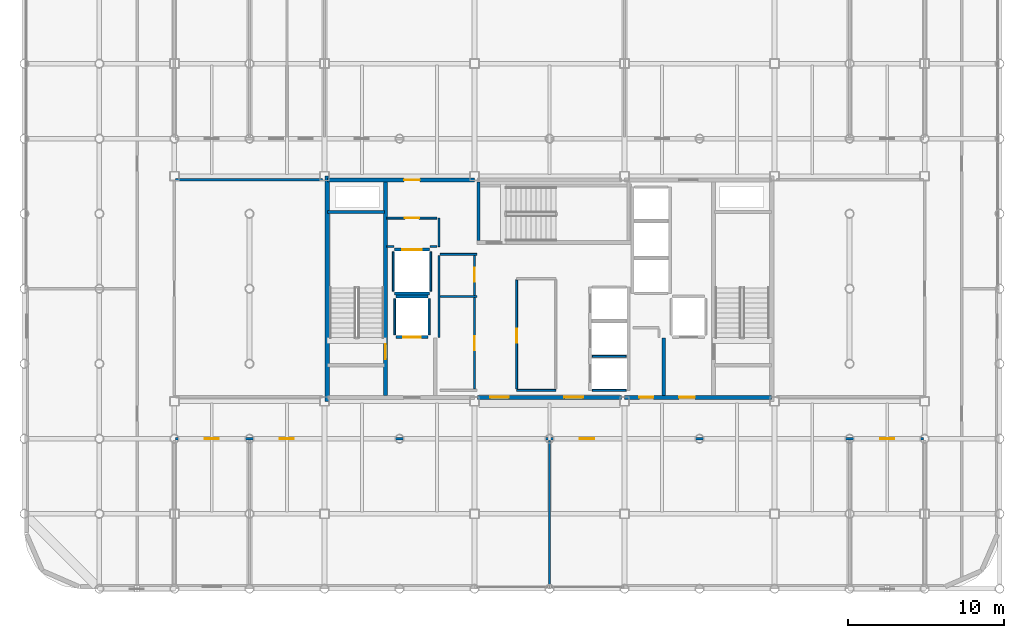
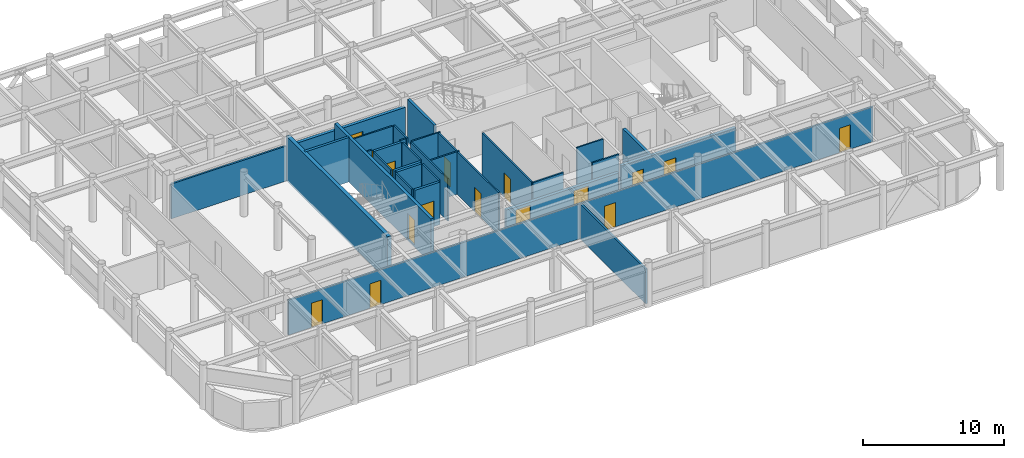
# One storey, part 18 of 21: 31 walls, 16 doors, 16 openings.
"""IFC4 building model written with IfcOpenShell, lengths in metres."""

import ifcopenshell
import ifcopenshell.guid

model = None  # the IFC model being written
_history = None  # IfcOwnerHistory: only IFC2X3 demands one
_inside = {}  # id of a spatial element -> (the spatial element, [elements in it])
_under = {}  # id of a project, library or spatial element -> (it, [spatial elements below it])
_declared = {}  # id of a project -> (the project, [libraries it declares])
_typed = {}  # id of a type object -> (the type object, [elements of that type])
_made_of = {}  # id of a material, layer set ... -> (it, [elements and type objects made of it])


def new_model(schema):
    """Start an empty IFC model of exactly this schema.

    Asked for "IFC4X3", IfcOpenShell would pick the latest addendum, in which some entities
    have other attributes; the version numbers below select the first issue.
    IFC2X3 requires an IfcOwnerHistory on every rooted entity: one is made here for all.
    """
    global model, _history
    if schema == "IFC4X3":
        model = ifcopenshell.file(schema_version=(4, 3, 0, 0))
    else:
        model = ifcopenshell.file(schema=schema)
    _inside.clear()
    _under.clear()
    _declared.clear()
    _typed.clear()
    _made_of.clear()
    _history = None
    if model.schema == "IFC2X3":
        org = make("IfcOrganization", Name="unknown")
        user = make(
            "IfcPersonAndOrganization",
            ThePerson=make("IfcPerson", FamilyName="unknown"),
            TheOrganization=org,
        )
        app = make(
            "IfcApplication",
            ApplicationDeveloper=org,
            Version="unknown",
            ApplicationFullName="unknown",
            ApplicationIdentifier="unknown",
        )
        _history = make(
            "IfcOwnerHistory",
            OwningUser=user,
            OwningApplication=app,
            ChangeAction="ADDED",
            CreationDate=0,
        )
    return model


def make(cls, **values):
    """One entity of the class cls with the attributes given. An attribute that is None is left unset."""
    return model.create_entity(
        cls, **{name: value for name, value in values.items() if value is not None}
    )


def rooted(cls, **values):
    """An entity with a GlobalId (a new one), such as an element, a storey or a relation."""
    return make(cls, GlobalId=ifcopenshell.guid.new(), OwnerHistory=_history, **values)


def si_unit(unit_type, name, prefix=None):
    """IfcSIUnit, for example si_unit("LENGTHUNIT", "METRE", prefix="MILLI")."""
    return make("IfcSIUnit", UnitType=unit_type, Prefix=prefix, Name=name)


def assignment(units):
    """IfcUnitAssignment: the units of a project."""
    return None if units is None else make("IfcUnitAssignment", Units=units)


def point(xyz):
    """IfcCartesianPoint."""
    return None if xyz is None else make("IfcCartesianPoint", Coordinates=xyz)


def direction(xyz):
    """IfcDirection."""
    return None if xyz is None else make("IfcDirection", DirectionRatios=xyz)


def frame(location, z_axis=None, x_axis=None):
    """IfcAxis2Placement3D, a coordinate frame: its origin and axes. An axis left out is left unset."""
    return make(
        "IfcAxis2Placement3D",
        Location=point(location),
        Axis=direction(z_axis),
        RefDirection=direction(x_axis),
    )


def frame_2d(location, x_axis=None):
    """IfcAxis2Placement2D, a coordinate frame in the plane: its origin and x axis."""
    return make(
        "IfcAxis2Placement2D", Location=point(location), RefDirection=direction(x_axis)
    )


def origin():
    """The frame at (0, 0, 0) with its axes left unset."""
    return frame((0.0, 0.0, 0.0))


def place(relative_to, where):
    """IfcLocalPlacement: puts the frame where relative to a parent placement (None: the world)."""
    return make(
        "IfcLocalPlacement", PlacementRelTo=relative_to, RelativePlacement=where
    )


def context(
    kind, dimensions, precision=None, world=None, true_north=None, identifier=None
):
    """IfcGeometricRepresentationContext, for example the 3D "Model" context."""
    return make(
        "IfcGeometricRepresentationContext",
        ContextIdentifier=identifier,
        ContextType=kind,
        CoordinateSpaceDimension=dimensions,
        Precision=precision,
        WorldCoordinateSystem=world,
        TrueNorth=true_north,
    )


def subcontext(parent, identifier, kind, view, scale=None):
    """IfcGeometricRepresentationSubContext, for example "Body" below "Model"."""
    return make(
        "IfcGeometricRepresentationSubContext",
        ContextIdentifier=identifier,
        ContextType=kind,
        ParentContext=parent,
        TargetScale=scale,
        TargetView=view,
    )


def project(units=None, contexts=None):
    """IfcProject with its units and contexts."""
    return rooted(
        "IfcProject",
        Name="project",
        RepresentationContexts=contexts,
        UnitsInContext=assignment(units),
    )


def spatial(cls, under=None, at=None, **own):
    """A site, building, storey or space (cls), placed at a placement, below another one or the project."""
    s = rooted(cls, ObjectPlacement=at, **own)
    if under is not None:
        _under.setdefault(under.id(), (under, []))[1].append(s)
    return s


def profile(cls, at=None, kind="AREA", **sizes):
    """A parametric profile (cls). Its sizes go by their IFC names, for example OverallWidth=200.0."""
    return make(cls, ProfileType=kind, Position=at, **sizes)


def rectangle(**sizes):
    """IfcRectangleProfileDef."""
    return profile("IfcRectangleProfileDef", **sizes)


def extrude(swept, where, along, depth):
    """IfcExtrudedAreaSolid: the profile swept, set in the frame where, extruded along a direction by depth."""
    return make(
        "IfcExtrudedAreaSolid",
        SweptArea=swept,
        Position=where,
        ExtrudedDirection=direction(along),
        Depth=depth,
    )


def shape(context_of_items, identifier, shape_type, items):
    """IfcShapeRepresentation: the items that make up one representation, for example the "Body"."""
    return make(
        "IfcShapeRepresentation",
        ContextOfItems=context_of_items,
        RepresentationIdentifier=identifier,
        RepresentationType=shape_type,
        Items=items,
    )


def material(Name=None, Category=None):
    """IfcMaterial."""
    return make("IfcMaterial", Name=Name, Category=Category)


def layer(
    of_material, thickness, ventilated=None, Name=None, Category=None, Priority=None
):
    """IfcMaterialLayer: one layer of a wall or slab, of a material (None: an air gap)."""
    return make(
        "IfcMaterialLayer",
        Material=of_material,
        LayerThickness=thickness,
        IsVentilated=ventilated,
        Name=Name,
        Category=Category,
        Priority=Priority,
    )


def layer_set(layers, Name=None):
    """IfcMaterialLayerSet."""
    return make("IfcMaterialLayerSet", MaterialLayers=layers, LayerSetName=Name)


def made_of(thing, what):
    """Note that an element or type object is made of a material, layer set ...; save() writes the relation."""
    if what is not None:
        _made_of.setdefault(what.id(), (what, []))[1].append(thing)
    return thing


def type_object(cls, material=None, **own):
    """A type object (cls), such as IfcWallType, which elements share."""
    return made_of(rooted(cls, **own), material)


def element(
    cls,
    number,
    at=None,
    inside=None,
    cuts=None,
    type_object=None,
    material=None,
    context=None,
    identifier="Body",
    shape_type=None,
    held_by="IfcProductDefinitionShape",
    body=None,
    shapes=None,
    **own,
):
    """One element of the class cls, such as IfcWall. Its Tag is "e" and its number.

    at: its placement. inside: the storey or other place that contains it. cuts: it is an
    opening in that element (IfcRelVoidsElement). A single representation is given by context,
    identifier, shape_type and body (its items); several are given by shapes. held_by: the class
    of the entity that holds the representations. save() writes the other relations.
    """
    e = rooted(cls, Tag="e%d" % number, ObjectPlacement=at, **own)
    if body is not None:
        shapes = [shape(context, identifier, shape_type, body)]
    if shapes is not None:
        e.Representation = make(held_by, Representations=shapes)
    if inside is not None:
        _inside.setdefault(inside.id(), (inside, []))[1].append(e)
    if cuts is not None:
        rooted(
            "IfcRelVoidsElement", RelatingBuildingElement=cuts, RelatedOpeningElement=e
        )
    if type_object is not None:
        _typed.setdefault(type_object.id(), (type_object, []))[1].append(e)
    return made_of(e, material)


def fill(opening, filler):
    """IfcRelFillsElement: the door or window that sits in an opening."""
    return rooted(
        "IfcRelFillsElement",
        RelatingOpeningElement=opening,
        RelatedBuildingElement=filler,
    )


def aggregate(whole, parts):
    """IfcRelAggregates: a whole, such as a stair, and the parts it consists of."""
    return rooted("IfcRelAggregates", RelatingObject=whole, RelatedObjects=parts)


def save(model, path):
    """Write the relations noted so far, then the file.

    IfcRelAggregates (storeys below a building ...), IfcRelContainedInSpatialStructure (elements
    in a storey), IfcRelDefinesByType, IfcRelAssociatesMaterial and IfcRelDeclares: one each for
    every whole, place, type object, material and project.
    """
    for whole, parts in _under.values():
        aggregate(whole, parts)
    for where, things in _inside.values():
        rooted(
            "IfcRelContainedInSpatialStructure",
            RelatedElements=things,
            RelatingStructure=where,
        )
    for kind, things in _typed.values():
        rooted("IfcRelDefinesByType", RelatedObjects=things, RelatingType=kind)
    for what, things in _made_of.values():
        rooted("IfcRelAssociatesMaterial", RelatedObjects=things, RelatingMaterial=what)
    for by, libraries in _declared.values():
        rooted("IfcRelDeclares", RelatingContext=by, RelatedDefinitions=libraries)
    model.write(path)


model = new_model("IFC4")

# Units and contexts
model_context = context("Model", 3, precision=1e-05, world=origin(), true_north=direction((0.0, 1.0)))
body_context = subcontext(model_context, "Body", "Model", "MODEL_VIEW")
ifc_project = project(units=[si_unit("LENGTHUNIT", "METRE"), si_unit("AREAUNIT", "SQUARE_METRE"), si_unit("VOLUMEUNIT", "CUBIC_METRE"), si_unit("PLANEANGLEUNIT", "RADIAN"), si_unit("MASSUNIT", "GRAM", prefix="KILO")], contexts=[model_context])

# Site, building, storey
site_placement = place(None, origin())
site = spatial("IfcSite", under=ifc_project, at=site_placement, CompositionType="ELEMENT")
building_placement = place(site_placement, origin())
building = spatial("IfcBuilding", under=site, at=building_placement, Name="Kallvorn Hotel Tower", CompositionType="ELEMENT")
storey_placement = place(building_placement, frame((0.0, 0.0, 268.5)))
storey = spatial("IfcBuildingStorey", under=building, at=storey_placement, Name="L67", CompositionType="ELEMENT", Elevation=268.5)

# Walls
ifc_material_1 = material(Name="Concrete C50/60", Category="concrete")
ifc_layer_1 = layer(ifc_material_1, 0.300048828125)
ifc_layer_set_1 = layer_set([ifc_layer_1], Name="WL_CORE_300")
wall_type_1 = type_object("IfcWallType", Name="WL_CORE_300", PredefinedType="SHEAR", material=ifc_layer_set_1)
wall_1_placement = place(storey_placement, frame((-14.215087890625, -7.199951171875, -0.179931640625), z_axis=(0.0, 0.0, 1.0), x_axis=(0.0, 1.0, 0.0)))
element("IfcWall", 1, at=wall_1_placement, inside=storey, type_object=wall_type_1, Name="L67 Core West Shear Wall", PredefinedType="SHEAR", context=body_context, shape_type="SweptSolid", body=[
    extrude(rectangle(XDim=14.39990234375, YDim=0.300048828125, at=frame_2d((7.199951171875, 0.0))), origin(), (0.0, 0.0, 1.0), 3.849853515625),
])
ifc_material_2 = material(Name="Concrete C40/50", Category="concrete")
ifc_layer_2 = layer(ifc_material_2, 0.219970703125)
ifc_layer_set_2 = layer_set([ifc_layer_2], Name="WL_FFL_220")
wall_type_2 = type_object("IfcWallType", Name="WL_FFL_220", PredefinedType="SOLIDWALL", material=ifc_layer_set_2)
wall_2_placement = place(storey_placement, frame((7.300048828125, -6.820068359375, 0.0), z_axis=(0.0, 0.0, 1.0), x_axis=(0.0, 1.0, 0.0)))
element("IfcWall", 2, at=wall_2_placement, inside=storey, type_object=wall_type_2, Name="L67 Firefighting Lobby East Divider Wall", PredefinedType="SOLIDWALL", context=body_context, shape_type="SweptSolid", body=[
    extrude(rectangle(XDim=3.670166015625, YDim=0.219970703125, at=frame_2d((1.8349609375, 0.0))), origin(), (0.0, 0.0, 1.0), 3.02001953125),
])
ifc_material_3 = material(Name="Concrete C40/50", Category="concrete")
ifc_layer_3 = layer(ifc_material_3, 0.199951171875)
ifc_layer_set_3 = layer_set([ifc_layer_3], Name="WL_HOIST_200")
wall_type_3 = type_object("IfcWallType", Name="WL_HOIST_200", PredefinedType="SOLIDWALL", material=ifc_layer_set_3)
wall_3_placement = place(storey_placement, frame((-14.199951171875, 4.89990234375, -0.179931640625), z_axis=(0.0, 0.0, 1.0), x_axis=(1.0, 0.0, 0.0)))
element("IfcWall", 3, at=wall_3_placement, inside=storey, type_object=wall_type_3, Name="L67 Stair ST1 North Wall", PredefinedType="SOLIDWALL", context=body_context, shape_type="SweptSolid", body=[
    extrude(rectangle(XDim=3.64990234375, YDim=0.199951171875, at=frame_2d((1.824951171875, 0.0))), origin(), (0.0, 0.0, 1.0), 3.849853515625),
])
wall_4_placement = place(storey_placement, frame((-4.550048828125, 3.080078125, -0.179931640625), z_axis=(0.0, 0.0, 1.0), x_axis=(0.0, 1.0, 0.0)))
element("IfcWall", 4, at=wall_4_placement, inside=storey, type_object=wall_type_3, Name="L67 Stair ST3 West Wall", PredefinedType="SOLIDWALL", context=body_context, shape_type="SweptSolid", body=[
    extrude(rectangle(XDim=3.739990234375, YDim=0.199951171875, at=frame_2d((1.8701171875, 0.0))), origin(), (0.0, 0.0, 1.0), 3.849853515625),
])

# Wall, opening, door
wall_5_placement = place(storey_placement, frame((-9.820068359375, -3.10009765625, 0.0), z_axis=(0.0, 0.0, 1.0), x_axis=(1.0, 0.0, 0.0)))
wall_5 = element("IfcWall", 5, at=wall_5_placement, inside=storey, type_object=wall_type_3, Name="L67 FL-1 Landing Wall", PredefinedType="SOLIDWALL", context=body_context, shape_type="SweptSolid", body=[
    extrude(rectangle(XDim=2.0400390625, YDim=0.199951171875, at=frame_2d((1.02001953125, 0.0))), origin(), (0.0, 0.0, 1.0), 3.669921875),
])
opening_1_placement = place(wall_5_placement, frame((0.469970703125, 0.0, 0.0)))
opening_1 = element("IfcOpeningElement", 6, at=opening_1_placement, cuts=wall_5, Name="Opening LD-FL-1", PredefinedType="OPENING", context=body_context, shape_type="SweptSolid", body=[
    extrude(rectangle(XDim=1.10009765625, YDim=2.199951171875, at=frame_2d((0.550048828125, 1.10009765625))), frame((0.0, 0.114990234375, 0.0), z_axis=(0.0, -1.0, 0.0), x_axis=(1.0, 0.0, 0.0)), (0.0, 0.0, 1.0), 0.22998046875),
])
ifc_material_4 = material(Name="Brushed stainless-steel automatic sliding lift landing door", Category="steel")
door_type_1 = type_object("IfcDoorType", Name="LD_PASS_1100x2200", OperationType="SLIDING_TO_LEFT", PredefinedType="DOOR", material=ifc_material_4)
door_1_placement = place(opening_1_placement, origin())
door_1 = element("IfcDoor", 7, at=door_1_placement, inside=storey, type_object=door_type_1, Name="L67 Lift Landing Sliding Door LD-FL-1", OperationType="SLIDING_TO_LEFT", OverallHeight=2.199951171875, OverallWidth=1.10009765625, PredefinedType="DOOR", context=body_context, shape_type="SweptSolid", body=[
    extrude(rectangle(XDim=1.10009765625, YDim=2.199951171875, at=frame_2d((0.550048828125, 1.10009765625))), frame((0.0, 0.02490234375, 0.0), z_axis=(0.0, -1.0, 0.0), x_axis=(1.0, 0.0, 0.0)), (0.0, 0.0, 1.0), 0.050048828125),
])
fill(opening_1, door_1)

# Wall
wall_6_placement = place(storey_placement, frame((-9.820068359375, -0.5, 0.0), z_axis=(0.0, 0.0, 1.0), x_axis=(1.0, 0.0, 0.0)))
element("IfcWall", 8, at=wall_6_placement, inside=storey, type_object=wall_type_3, Name="L67 FL-1 Rear Shaft Wall", PredefinedType="SOLIDWALL", context=body_context, shape_type="SweptSolid", body=[
    extrude(rectangle(XDim=2.0400390625, YDim=0.199951171875, at=frame_2d((1.02001953125, 0.0))), origin(), (0.0, 0.0, 1.0), 3.669921875),
])

# Wall, opening, door
wall_7_placement = place(storey_placement, frame((-9.919921875, 2.5, 0.0), z_axis=(0.0, 0.0, 1.0), x_axis=(1.0, 0.0, 0.0)))
wall_7 = element("IfcWall", 9, at=wall_7_placement, inside=storey, type_object=wall_type_3, Name="L67 SV-01 Landing Wall", PredefinedType="SOLIDWALL", context=body_context, shape_type="SweptSolid", body=[
    extrude(rectangle(XDim=2.239990234375, YDim=0.199951171875, at=frame_2d((1.1201171875, 0.0))), origin(), (0.0, 0.0, 1.0), 3.669921875),
])
opening_2_placement = place(wall_7_placement, frame((0.4951171875, 0.0, 0.0)))
opening_2 = element("IfcOpeningElement", 10, at=opening_2_placement, cuts=wall_7, Name="Opening LD-SV-01", PredefinedType="OPENING", context=body_context, shape_type="SweptSolid", body=[
    extrude(rectangle(XDim=1.25, YDim=2.25, at=frame_2d((0.625, 1.125))), frame((0.0, 0.114990234375, 0.0), z_axis=(0.0, -1.0, 0.0), x_axis=(1.0, 0.0, 0.0)), (0.0, 0.0, 1.0), 0.22998046875),
])
ifc_material_5 = material(Name="Brushed stainless-steel automatic sliding lift landing door", Category="steel")
door_type_2 = type_object("IfcDoorType", Name="LD_SERV_1250x2250", OperationType="SLIDING_TO_LEFT", PredefinedType="DOOR", material=ifc_material_5)
door_2_placement = place(opening_2_placement, origin())
door_2 = element("IfcDoor", 11, at=door_2_placement, inside=storey, type_object=door_type_2, Name="L67 Lift Landing Sliding Door LD-SV-01", OperationType="SLIDING_TO_LEFT", OverallHeight=2.25, OverallWidth=1.25, PredefinedType="DOOR", context=body_context, shape_type="SweptSolid", body=[
    extrude(rectangle(XDim=1.25, YDim=2.25, at=frame_2d((0.625, 1.125))), frame((0.0, 0.02490234375, 0.0), z_axis=(0.0, -1.0, 0.0), x_axis=(1.0, 0.0, 0.0)), (0.0, 0.0, 1.0), 0.050048828125),
])
fill(opening_2, door_2)

# Walls
wall_8_placement = place(storey_placement, frame((-9.919921875, -0.300048828125, 0.0), z_axis=(0.0, 0.0, 1.0), x_axis=(1.0, 0.0, 0.0)))
element("IfcWall", 12, at=wall_8_placement, inside=storey, type_object=wall_type_3, Name="L67 SV-01 Rear Shaft Wall", PredefinedType="SOLIDWALL", context=body_context, shape_type="SweptSolid", body=[
    extrude(rectangle(XDim=2.239990234375, YDim=0.199951171875, at=frame_2d((1.1201171875, 0.0))), origin(), (0.0, 0.0, 1.0), 3.669921875),
])
ifc_material_6 = material(Name="Fire-rated double-layer acoustic gypsum drywall EI 60")
ifc_layer_4 = layer(ifc_material_6, 0.1201171875)
ifc_layer_set_4 = layer_set([ifc_layer_4], Name="WL_INT_120")
wall_type_4 = type_object("IfcWallType", Name="WL_INT_120", PredefinedType="PARTITIONING", material=ifc_layer_set_4)
for number, where, z_axis, x_axis, name in (
    (13, (2.739990234375, -6.5, 0.0), (0.0, 0.0, 1.0), (1.0, 0.0, 0.0), "L67 Lift Bank B3A South Closure Wall"),
    (14, (2.739990234375, -4.324951171875, 0.0), (0.0, 0.0, 1.0), (1.0, 0.0, 0.0), "L67 PL-09 Hoistway Divider"),
):
    element("IfcWall", number, at=place(storey_placement, frame(where, z_axis=z_axis, x_axis=x_axis)), inside=storey, type_object=wall_type_4, Name=name, PredefinedType="PARTITIONING", context=body_context, shape_type="SweptSolid", body=[
        extrude(rectangle(XDim=2.169921875, YDim=0.1201171875, at=frame_2d((1.0849609375, 0.0))), origin(), (0.0, 0.0, 1.0), 3.669921875),
    ])
for number, where, z_axis, x_axis, name in (
    (15, (-9.89990234375, -2.9599609375, 0.0), (0.0, 0.0, 1.0), (0.0, 1.0, 0.0), "L67 FL-1 West Shaft Wall"),
    (16, (-7.699951171875, -2.9599609375, 0.0), (0.0, 0.0, 1.0), (0.0, 1.0, 0.0), "L67 FL-1 East Shaft Wall"),
):
    element("IfcWall", number, at=place(storey_placement, frame(where, z_axis=z_axis, x_axis=x_axis)), inside=storey, type_object=wall_type_4, Name=name, PredefinedType="PARTITIONING", context=body_context, shape_type="SweptSolid", body=[
        extrude(rectangle(XDim=2.320068359375, YDim=0.1201171875, at=frame_2d((1.16015625, 0.0))), origin(), (0.0, 0.0, 1.0), 3.669921875),
    ])
for number, where, z_axis, x_axis, name in (
    (17, (-10.0, -0.159912109375, 0.0), (0.0, 0.0, 1.0), (0.0, 1.0, 0.0), "L67 SV-01 West Shaft Wall"),
    (18, (-7.60009765625, -0.159912109375, 0.0), (0.0, 0.0, 1.0), (0.0, 1.0, 0.0), "L67 SV-01 East Shaft Wall"),
):
    element("IfcWall", number, at=place(storey_placement, frame(where, z_axis=z_axis, x_axis=x_axis)), inside=storey, type_object=wall_type_4, Name=name, PredefinedType="PARTITIONING", context=body_context, shape_type="SweptSolid", body=[
        extrude(rectangle(XDim=2.52001953125, YDim=0.1201171875, at=frame_2d((1.260009765625, 0.0))), origin(), (0.0, 0.0, 1.0), 3.669921875),
    ])
wall_9_placement = place(storey_placement, frame((-2.10009765625, -6.5, 0.0), z_axis=(0.0, 0.0, 1.0), x_axis=(1.0, 0.0, 0.0)))
element("IfcWall", 19, at=wall_9_placement, inside=storey, type_object=wall_type_4, Name="L67 High-Zone IT and Tableware Reserve Room Partition", PredefinedType="PARTITIONING", context=body_context, shape_type="SweptSolid", body=[
    extrude(rectangle(XDim=2.5, YDim=0.1201171875, at=frame_2d((1.25, 0.0))), origin(), (0.0, 0.0, 1.0), 3.669921875),
])
for number, where, z_axis, x_axis, name in (
    (20, (-7.0, -0.5, 0.0), (0.0, 0.0, 1.0), (1.0, 0.0, 0.0), "L67 Recaptured Full-Depth Sommelier Store Partition"),
    (21, (-7.0, 2.199951171875, 0.0), (0.0, 0.0, 1.0), (1.0, 0.0, 0.0), "L67 Recaptured Housekeeping Prep Room Partition"),
):
    element("IfcWall", number, at=place(storey_placement, frame(where, z_axis=z_axis, x_axis=x_axis)), inside=storey, type_object=wall_type_4, Name=name, PredefinedType="PARTITIONING", context=body_context, shape_type="SweptSolid", body=[
        extrude(rectangle(XDim=2.35009765625, YDim=0.1201171875, at=frame_2d((1.175048828125, 0.0))), origin(), (0.0, 0.0, 1.0), 3.669921875),
    ])
for number, where, z_axis, x_axis, name in (
    (22, (-10.39990234375, 2.699951171875, 0.0), (0.0, 0.0, 1.0), (1.0, 0.0, 0.0), "L67 Core Telecom and Metering Store Partition"),
    (23, (-7.639892578125, 2.699951171875, 0.0), (0.0, 0.0, 1.0), (1.0, 0.0, 0.0), "L67 Core Telecom and Metering Store Partition"),
):
    element("IfcWall", number, at=place(storey_placement, frame(where, z_axis=z_axis, x_axis=x_axis)), inside=storey, type_object=wall_type_4, Name=name, PredefinedType="PARTITIONING", context=body_context, shape_type="SweptSolid", body=[
        extrude(rectangle(XDim=0.43994140625, YDim=0.1201171875, at=frame_2d((0.219970703125, 0.0))), origin(), (0.0, 0.0, 1.0), 3.669921875),
    ])

# Wall, opening, door
wall_10_placement = place(storey_placement, frame((-10.39990234375, 4.52001953125, 0.0), z_axis=(0.0, 0.0, 1.0), x_axis=(1.0, 0.0, 0.0)))
wall_10 = element("IfcWall", 24, at=wall_10_placement, inside=storey, type_object=wall_type_4, Name="L67 Core Telecom and Metering Store Partition", PredefinedType="PARTITIONING", context=body_context, shape_type="SweptSolid", body=[
    extrude(rectangle(XDim=3.199951171875, YDim=0.1201171875, at=frame_2d((1.60009765625, 0.0))), origin(), (0.0, 0.0, 1.0), 3.669921875),
])
opening_3_placement = place(wall_10_placement, frame((1.14990234375, 0.0, 0.0)))
opening_3 = element("IfcOpeningElement", 25, at=opening_3_placement, cuts=wall_10, Name="Opening SVD1", PredefinedType="OPENING", context=body_context, shape_type="SweptSolid", body=[
    extrude(rectangle(XDim=0.89990234375, YDim=2.10009765625, at=frame_2d((0.449951171875, 1.050048828125))), frame((0.0, 0.074951171875, 0.0), z_axis=(0.0, -1.0, 0.0), x_axis=(1.0, 0.0, 0.0)), (0.0, 0.0, 1.0), 0.150146484375),
])
ifc_material_7 = material(Name="Galvanised painted steel fire-rated door assembly", Category="steel")
door_type_3 = type_object("IfcDoorType", Name="DR_SERV_900x2100", OperationType="NOTDEFINED", PredefinedType="DOOR", material=ifc_material_7)
door_3_placement = place(opening_3_placement, origin())
door_3 = element("IfcDoor", 26, at=door_3_placement, inside=storey, type_object=door_type_3, Name="L67 Core Telecom and Metering Store Door", OperationType="SINGLE_SWING_LEFT", OverallHeight=2.10009765625, OverallWidth=0.89990234375, PredefinedType="DOOR", context=body_context, shape_type="SweptSolid", body=[
    extrude(rectangle(XDim=0.89990234375, YDim=2.10009765625, at=frame_2d((0.449951171875, 1.050048828125))), frame((0.0, 0.02490234375, 0.0), z_axis=(0.0, -1.0, 0.0), x_axis=(1.0, 0.0, 0.0)), (0.0, 0.0, 1.0), 0.050048828125),
])
fill(opening_3, door_3)

# Walls
wall_11_placement = place(storey_placement, frame((-7.066650390625, -3.110107421875, 0.0), z_axis=(0.0, 0.0, 1.0), x_axis=(0.0, 1.0, 0.0)))
element("IfcWall", 27, at=wall_11_placement, inside=storey, type_object=wall_type_4, Name="L67 Recaptured Full-Depth Sommelier Store Partition", PredefinedType="PARTITIONING", context=body_context, shape_type="SweptSolid", body=[
    extrude(rectangle(XDim=5.22509765625, YDim=0.1201171875, at=frame_2d((2.612548828125, 0.0))), origin(), (0.0, 0.0, 1.0), 3.669921875),
])
wall_12_placement = place(storey_placement, frame((-7.066650390625, 2.699951171875, 0.0), z_axis=(0.0, 0.0, 1.0), x_axis=(0.0, 1.0, 0.0)))
element("IfcWall", 28, at=wall_12_placement, inside=storey, type_object=wall_type_4, Name="L67 Core Telecom and Metering Store Partition", PredefinedType="PARTITIONING", context=body_context, shape_type="SweptSolid", body=[
    extrude(rectangle(XDim=1.820068359375, YDim=0.1201171875, at=frame_2d((0.91015625, 0.0))), origin(), (0.0, 0.0, 1.0), 3.669921875),
])

# Wall, openings, doors
wall_13_placement = place(storey_placement, frame((-4.800048828125, -6.4150390625, 0.0), z_axis=(0.0, 0.0, 1.0), x_axis=(0.0, 1.0, 0.0)))
wall_13 = element("IfcWall", 29, at=wall_13_placement, inside=storey, type_object=wall_type_4, Name="L67 Recaptured Full-Depth Sommelier Store Partition", PredefinedType="PARTITIONING", context=body_context, shape_type="SweptSolid", body=[
    extrude(rectangle(XDim=8.530029296875, YDim=0.1201171875, at=frame_2d((4.26513671875, 0.0))), origin(), (0.0, 0.0, 1.0), 3.669921875),
])
opening_4_placement = place(wall_13_placement, frame((2.465087890625, 0.0, 0.0)))
opening_4 = element("IfcOpeningElement", 30, at=opening_4_placement, cuts=wall_13, Name="Opening SVD1", PredefinedType="OPENING", context=body_context, shape_type="SweptSolid", body=[
    extrude(rectangle(XDim=0.89990234375, YDim=2.10009765625, at=frame_2d((0.449951171875, 1.050048828125))), frame((0.0, 0.074951171875, 0.0), z_axis=(0.0, -1.0, 0.0), x_axis=(1.0, 0.0, 0.0)), (0.0, 0.0, 1.0), 0.150146484375),
])
opening_5_placement = place(wall_13_placement, frame((6.864990234375, 0.0, 0.0)))
opening_5 = element("IfcOpeningElement", 31, at=opening_5_placement, cuts=wall_13, Name="Opening SVD1", PredefinedType="OPENING", context=body_context, shape_type="SweptSolid", body=[
    extrude(rectangle(XDim=0.89990234375, YDim=2.10009765625, at=frame_2d((0.449951171875, 1.050048828125))), frame((0.0, 0.074951171875, 0.0), z_axis=(0.0, -1.0, 0.0), x_axis=(1.0, 0.0, 0.0)), (0.0, 0.0, 1.0), 0.150146484375),
])
door_4_placement = place(opening_4_placement, origin())
door_4 = element("IfcDoor", 32, at=door_4_placement, inside=storey, type_object=door_type_3, Name="L67 Recaptured Full-Depth Sommelier Store Door", OperationType="SINGLE_SWING_RIGHT", OverallHeight=2.10009765625, OverallWidth=0.89990234375, PredefinedType="DOOR", context=body_context, shape_type="SweptSolid", body=[
    extrude(rectangle(XDim=0.89990234375, YDim=2.10009765625, at=frame_2d((0.449951171875, 1.050048828125))), frame((0.0, 0.02490234375, 0.0), z_axis=(0.0, -1.0, 0.0), x_axis=(1.0, 0.0, 0.0)), (0.0, 0.0, 1.0), 0.050048828125),
])
fill(opening_4, door_4)
door_5_placement = place(opening_5_placement, origin())
door_5 = element("IfcDoor", 33, at=door_5_placement, inside=storey, type_object=door_type_3, Name="L67 Recaptured Housekeeping Prep Room Door", OperationType="SINGLE_SWING_LEFT", OverallHeight=2.10009765625, OverallWidth=0.89990234375, PredefinedType="DOOR", context=body_context, shape_type="SweptSolid", body=[
    extrude(rectangle(XDim=0.89990234375, YDim=2.10009765625, at=frame_2d((0.449951171875, 1.050048828125))), frame((0.0, 0.02490234375, 0.0), z_axis=(0.0, -1.0, 0.0), x_axis=(1.0, 0.0, 0.0)), (0.0, 0.0, 1.0), 0.050048828125),
])
fill(opening_5, door_5)

# Wall, opening, door
wall_14_placement = place(storey_placement, frame((-2.10009765625, -6.4150390625, 0.0), z_axis=(0.0, 0.0, 1.0), x_axis=(0.0, 1.0, 0.0)))
wall_14 = element("IfcWall", 34, at=wall_14_placement, inside=storey, type_object=wall_type_4, Name="L67 High-Zone IT and Tableware Reserve Room Partition", PredefinedType="PARTITIONING", context=body_context, shape_type="SweptSolid", body=[
    extrude(rectangle(XDim=6.97998046875, YDim=0.1201171875, at=frame_2d((3.489990234375, 0.0))), origin(), (0.0, 0.0, 1.0), 3.669921875),
])
opening_6_placement = place(wall_14_placement, frame((2.965087890625, 0.0, 0.0)))
opening_6 = element("IfcOpeningElement", 35, at=opening_6_placement, cuts=wall_14, Name="Opening SVD1", PredefinedType="OPENING", context=body_context, shape_type="SweptSolid", body=[
    extrude(rectangle(XDim=0.89990234375, YDim=2.10009765625, at=frame_2d((0.449951171875, 1.050048828125))), frame((0.0, 0.074951171875, 0.0), z_axis=(0.0, -1.0, 0.0), x_axis=(1.0, 0.0, 0.0)), (0.0, 0.0, 1.0), 0.150146484375),
])
door_6_placement = place(opening_6_placement, origin())
door_6 = element("IfcDoor", 36, at=door_6_placement, inside=storey, type_object=door_type_3, Name="L67 High-Zone IT and Tableware Reserve Room Door", OperationType="SINGLE_SWING_RIGHT", OverallHeight=2.10009765625, OverallWidth=0.89990234375, PredefinedType="DOOR", context=body_context, shape_type="SweptSolid", body=[
    extrude(rectangle(XDim=0.89990234375, YDim=2.10009765625, at=frame_2d((0.449951171875, 1.050048828125))), frame((0.0, 0.02490234375, 0.0), z_axis=(0.0, -1.0, 0.0), x_axis=(1.0, 0.0, 0.0)), (0.0, 0.0, 1.0), 0.050048828125),
])
fill(opening_6, door_6)

# Wall, openings, doors
ifc_material_8 = material(Name="Fire-rated double-layer acoustic gypsum drywall EI 60")
ifc_layer_5 = layer(ifc_material_8, 0.14990234375)
ifc_layer_set_5 = layer_set([ifc_layer_5], Name="WL_PART_150")
wall_type_5 = type_object("IfcWallType", Name="WL_PART_150", PredefinedType="PARTITIONING", material=ifc_layer_set_5)
wall_15_placement = place(storey_placement, frame((-23.919921875, -9.60009765625, 0.0), z_axis=(0.0, 0.0, 1.0), x_axis=(1.0, 0.0, 0.0)))
wall_15 = element("IfcWall", 37, at=wall_15_placement, inside=storey, type_object=wall_type_5, Name="L67 L67 High-Zone South-West Tea Bar Partition", PredefinedType="PARTITIONING", context=body_context, shape_type="SweptSolid", body=[
    extrude(rectangle(XDim=47.83984375, YDim=0.14990234375, at=frame_2d((23.919921875, 0.0))), origin(), (0.0, 0.0, 1.0), 3.02001953125),
])
opening_7_placement = place(wall_15_placement, frame((1.8701171875, 0.0, 0.0)))
opening_7 = element("IfcOpeningElement", 38, at=opening_7_placement, cuts=wall_15, Name="Opening SVD1", PredefinedType="OPENING", context=body_context, shape_type="SweptSolid", body=[
    extrude(rectangle(XDim=0.89990234375, YDim=2.10009765625, at=frame_2d((0.449951171875, 1.050048828125))), frame((0.0, 0.08984375, 0.0), z_axis=(0.0, -1.0, 0.0), x_axis=(1.0, 0.0, 0.0)), (0.0, 0.0, 1.0), 0.179931640625),
])
opening_8_placement = place(wall_15_placement, frame((45.070068359375, 0.0, 0.0)))
opening_8 = element("IfcOpeningElement", 39, at=opening_8_placement, cuts=wall_15, Name="Opening SVD1", PredefinedType="OPENING", context=body_context, shape_type="SweptSolid", body=[
    extrude(rectangle(XDim=0.89990234375, YDim=2.10009765625, at=frame_2d((0.449951171875, 1.050048828125))), frame((0.0, 0.08984375, 0.0), z_axis=(0.0, -1.0, 0.0), x_axis=(1.0, 0.0, 0.0)), (0.0, 0.0, 1.0), 0.179931640625),
])
opening_9_placement = place(wall_15_placement, frame((6.669921875, 0.0, 0.0)))
opening_9 = element("IfcOpeningElement", 40, at=opening_9_placement, cuts=wall_15, Name="Opening SVD1", PredefinedType="OPENING", context=body_context, shape_type="SweptSolid", body=[
    extrude(rectangle(XDim=0.89990234375, YDim=2.10009765625, at=frame_2d((0.449951171875, 1.050048828125))), frame((0.0, 0.08984375, 0.0), z_axis=(0.0, -1.0, 0.0), x_axis=(1.0, 0.0, 0.0)), (0.0, 0.0, 1.0), 0.179931640625),
])
opening_10_placement = place(wall_15_placement, frame((25.8701171875, 0.0, 0.0)))
opening_10 = element("IfcOpeningElement", 41, at=opening_10_placement, cuts=wall_15, Name="Opening SVD1", PredefinedType="OPENING", context=body_context, shape_type="SweptSolid", body=[
    extrude(rectangle(XDim=0.89990234375, YDim=2.10009765625, at=frame_2d((0.449951171875, 1.050048828125))), frame((0.0, 0.08984375, 0.0), z_axis=(0.0, -1.0, 0.0), x_axis=(1.0, 0.0, 0.0)), (0.0, 0.0, 1.0), 0.179931640625),
])
door_7_placement = place(opening_7_placement, origin())
door_7 = element("IfcDoor", 42, at=door_7_placement, inside=storey, type_object=door_type_3, Name="L67 L67 High-Zone South-West Tea Bar Door", OperationType="SINGLE_SWING_LEFT", OverallHeight=2.10009765625, OverallWidth=0.89990234375, PredefinedType="DOOR", context=body_context, shape_type="SweptSolid", body=[
    extrude(rectangle(XDim=0.89990234375, YDim=2.10009765625, at=frame_2d((0.449951171875, 1.050048828125))), frame((0.0, 0.02490234375, 0.0), z_axis=(0.0, -1.0, 0.0), x_axis=(1.0, 0.0, 0.0)), (0.0, 0.0, 1.0), 0.050048828125),
])
fill(opening_7, door_7)
door_8_placement = place(opening_8_placement, origin())
door_8 = element("IfcDoor", 43, at=door_8_placement, inside=storey, type_object=door_type_3, Name="L67 L67 High-Zone South-East Wine Bar Door", OperationType="SINGLE_SWING_LEFT", OverallHeight=2.10009765625, OverallWidth=0.89990234375, PredefinedType="DOOR", context=body_context, shape_type="SweptSolid", body=[
    extrude(rectangle(XDim=0.89990234375, YDim=2.10009765625, at=frame_2d((0.449951171875, 1.050048828125))), frame((0.0, 0.02490234375, 0.0), z_axis=(0.0, -1.0, 0.0), x_axis=(1.0, 0.0, 0.0)), (0.0, 0.0, 1.0), 0.050048828125),
])
fill(opening_8, door_8)
door_9_placement = place(opening_9_placement, origin())
door_9 = element("IfcDoor", 44, at=door_9_placement, inside=storey, type_object=door_type_3, Name="L67 L67 Panoramic Club Sky Lounge 1 Door", OperationType="SINGLE_SWING_LEFT", OverallHeight=2.10009765625, OverallWidth=0.89990234375, PredefinedType="DOOR", context=body_context, shape_type="SweptSolid", body=[
    extrude(rectangle(XDim=0.89990234375, YDim=2.10009765625, at=frame_2d((0.449951171875, 1.050048828125))), frame((0.0, 0.02490234375, 0.0), z_axis=(0.0, -1.0, 0.0), x_axis=(1.0, 0.0, 0.0)), (0.0, 0.0, 1.0), 0.050048828125),
])
fill(opening_9, door_9)
door_10_placement = place(opening_10_placement, origin())
door_10 = element("IfcDoor", 45, at=door_10_placement, inside=storey, type_object=door_type_3, Name="L67 L67 Thermal Hydrotherapy Treatment Suite 2 Door", OperationType="SINGLE_SWING_LEFT", OverallHeight=2.10009765625, OverallWidth=0.89990234375, PredefinedType="DOOR", context=body_context, shape_type="SweptSolid", body=[
    extrude(rectangle(XDim=0.89990234375, YDim=2.10009765625, at=frame_2d((0.449951171875, 1.050048828125))), frame((0.0, 0.02490234375, 0.0), z_axis=(0.0, -1.0, 0.0), x_axis=(1.0, 0.0, 0.0)), (0.0, 0.0, 1.0), 0.050048828125),
])
fill(opening_10, door_10)

# Walls
wall_16_placement = place(storey_placement, frame((-23.919921875, 6.97998046875, 0.0), z_axis=(0.0, 0.0, 1.0), x_axis=(1.0, 0.0, 0.0)))
element("IfcWall", 46, at=wall_16_placement, inside=storey, type_object=wall_type_5, Name="L67 L67 High-Zone Inner West Club Bar Partition", PredefinedType="PARTITIONING", context=body_context, shape_type="SweptSolid", body=[
    extrude(rectangle(XDim=9.39990234375, YDim=0.14990234375, at=frame_2d((4.699951171875, 0.0))), origin(), (0.0, 0.0, 1.0), 3.02001953125),
])
wall_17_placement = place(storey_placement, frame((0.0, -18.9951171875, 0.0), z_axis=(0.0, 0.0, 1.0), x_axis=(0.0, 1.0, 0.0)))
element("IfcWall", 47, at=wall_17_placement, inside=storey, type_object=wall_type_5, Name="L67 L67 Panoramic Club Sky Lounge 1 Partition", PredefinedType="PARTITIONING", context=body_context, shape_type="SweptSolid", body=[
    extrude(rectangle(XDim=9.275146484375, YDim=0.14990234375, at=frame_2d((4.6376953125, 0.0))), origin(), (0.0, 0.0, 1.0), 3.02001953125),
])

# Wall, openings, doors
ifc_material_9 = material(Name="Concrete C40/50", Category="concrete")
ifc_layer_6 = layer(ifc_material_9, 0.25)
ifc_layer_set_6 = layer_set([ifc_layer_6], Name="WL_SHAFT_250")
wall_type_6 = type_object("IfcWallType", Name="WL_SHAFT_250", PredefinedType="SOLIDWALL", material=ifc_layer_set_6)
wall_18_placement = place(storey_placement, frame((-4.60009765625, -6.949951171875, 0.0), z_axis=(0.0, 0.0, 1.0), x_axis=(1.0, 0.0, 0.0)))
wall_18 = element("IfcWall", 48, at=wall_18_placement, inside=storey, type_object=wall_type_6, Name="L67 Core South-Central Wall", PredefinedType="SOLIDWALL", context=body_context, shape_type="SweptSolid", body=[
    extrude(rectangle(XDim=9.2001953125, YDim=0.25, at=frame_2d((4.60009765625, 0.0))), origin(), (0.0, 0.0, 1.0), 2.469970703125),
])
opening_11_placement = place(wall_18_placement, frame((0.800048828125, 0.0, 0.0)))
opening_11 = element("IfcOpeningElement", 49, at=opening_11_placement, cuts=wall_18, Name="Opening FD2", PredefinedType="OPENING", context=body_context, shape_type="SweptSolid", body=[
    extrude(rectangle(XDim=1.199951171875, YDim=2.199951171875, at=frame_2d((0.60009765625, 1.10009765625))), frame((0.0, 0.139892578125, 0.0), z_axis=(0.0, -1.0, 0.0), x_axis=(1.0, 0.0, 0.0)), (0.0, 0.0, 1.0), 0.280029296875),
])
opening_12_placement = place(wall_18_placement, frame((5.550048828125, 0.0, 0.0)))
opening_12 = element("IfcOpeningElement", 50, at=opening_12_placement, cuts=wall_18, Name="Opening FD2", PredefinedType="OPENING", context=body_context, shape_type="SweptSolid", body=[
    extrude(rectangle(XDim=1.199951171875, YDim=2.199951171875, at=frame_2d((0.60009765625, 1.10009765625))), frame((0.0, 0.139892578125, 0.0), z_axis=(0.0, -1.0, 0.0), x_axis=(1.0, 0.0, 0.0)), (0.0, 0.0, 1.0), 0.280029296875),
])
ifc_material_10 = material(Name="Galvanised painted steel fire-rated door assembly", Category="steel")
door_type_4 = type_object("IfcDoorType", Name="DR_LOBBY_1200x2200", OperationType="DOUBLE_DOOR_SINGLE_SWING", PredefinedType="DOOR", material=ifc_material_10)
door_11_placement = place(opening_11_placement, origin())
door_11 = element("IfcDoor", 51, at=door_11_placement, inside=storey, type_object=door_type_4, Name="L67 West Passenger Lift Lobby Door", OperationType="DOUBLE_DOOR_SINGLE_SWING", OverallHeight=2.199951171875, OverallWidth=1.199951171875, PredefinedType="DOOR", context=body_context, shape_type="SweptSolid", body=[
    extrude(rectangle(XDim=1.199951171875, YDim=2.199951171875, at=frame_2d((0.60009765625, 1.10009765625))), frame((0.0, 0.02490234375, 0.0), z_axis=(0.0, -1.0, 0.0), x_axis=(1.0, 0.0, 0.0)), (0.0, 0.0, 1.0), 0.050048828125),
])
fill(opening_11, door_11)
door_12_placement = place(opening_12_placement, origin())
door_12 = element("IfcDoor", 52, at=door_12_placement, inside=storey, type_object=door_type_4, Name="L67 East Passenger Lift Lobby Door", OperationType="DOUBLE_DOOR_SINGLE_SWING", OverallHeight=2.199951171875, OverallWidth=1.199951171875, PredefinedType="DOOR", context=body_context, shape_type="SweptSolid", body=[
    extrude(rectangle(XDim=1.199951171875, YDim=2.199951171875, at=frame_2d((0.60009765625, 1.10009765625))), frame((0.0, 0.02490234375, 0.0), z_axis=(0.0, -1.0, 0.0), x_axis=(1.0, 0.0, 0.0)), (0.0, 0.0, 1.0), 0.050048828125),
])
fill(opening_12, door_12)

wall_19_placement = place(storey_placement, frame((4.800048828125, -6.949951171875, 0.0), z_axis=(0.0, 0.0, 1.0), x_axis=(1.0, 0.0, 0.0)))
wall_19 = element("IfcWall", 53, at=wall_19_placement, inside=storey, type_object=wall_type_6, Name="L67 Core South-East Wall", PredefinedType="SOLIDWALL", context=body_context, shape_type="SweptSolid", body=[
    extrude(rectangle(XDim=9.39990234375, YDim=0.25, at=frame_2d((4.699951171875, 0.0))), origin(), (0.0, 0.0, 1.0), 3.02001953125),
])
opening_13_placement = place(wall_19_placement, frame((3.5, 0.0, 0.0)))
opening_13 = element("IfcOpeningElement", 54, at=opening_13_placement, cuts=wall_19, Name="Opening FD1", PredefinedType="OPENING", context=body_context, shape_type="SweptSolid", body=[
    extrude(rectangle(XDim=1.0, YDim=2.14990234375, at=frame_2d((0.5, 1.074951171875))), frame((0.0, 0.139892578125, 0.0), z_axis=(0.0, -1.0, 0.0), x_axis=(1.0, 0.0, 0.0)), (0.0, 0.0, 1.0), 0.280029296875),
])
opening_14_placement = place(wall_19_placement, frame((0.949951171875, 0.0, 0.0)))
opening_14 = element("IfcOpeningElement", 55, at=opening_14_placement, cuts=wall_19, Name="Opening SVD1", PredefinedType="OPENING", context=body_context, shape_type="SweptSolid", body=[
    extrude(rectangle(XDim=0.89990234375, YDim=2.10009765625, at=frame_2d((0.449951171875, 1.050048828125))), frame((0.0, 0.139892578125, 0.0), z_axis=(0.0, -1.0, 0.0), x_axis=(1.0, 0.0, 0.0)), (0.0, 0.0, 1.0), 0.280029296875),
])
ifc_material_11 = material(Name="Galvanised painted steel fire-rated door assembly", Category="steel")
door_type_5 = type_object("IfcDoorType", Name="DR_FFL_1000x2150", OperationType="NOTDEFINED", PredefinedType="DOOR", material=ifc_material_11)
door_13_placement = place(opening_13_placement, origin())
door_13 = element("IfcDoor", 56, at=door_13_placement, inside=storey, type_object=door_type_5, Name="L67 Firefighting Lobby East Door", OperationType="SINGLE_SWING_LEFT", OverallHeight=2.14990234375, OverallWidth=1.0, PredefinedType="DOOR", context=body_context, shape_type="SweptSolid", body=[
    extrude(rectangle(XDim=1.0, YDim=2.14990234375, at=frame_2d((0.5, 1.074951171875))), frame((0.0, 0.02490234375, 0.0), z_axis=(0.0, -1.0, 0.0), x_axis=(1.0, 0.0, 0.0)), (0.0, 0.0, 1.0), 0.050048828125),
])
fill(opening_13, door_13)
door_14_placement = place(opening_14_placement, origin())
door_14 = element("IfcDoor", 57, at=door_14_placement, inside=storey, type_object=door_type_3, Name="L67 Core Accessible Staff WC Door", OperationType="SINGLE_SWING_LEFT", OverallHeight=2.10009765625, OverallWidth=0.89990234375, PredefinedType="DOOR", context=body_context, shape_type="SweptSolid", body=[
    extrude(rectangle(XDim=0.89990234375, YDim=2.10009765625, at=frame_2d((0.449951171875, 1.050048828125))), frame((0.0, 0.02490234375, 0.0), z_axis=(0.0, -1.0, 0.0), x_axis=(1.0, 0.0, 0.0)), (0.0, 0.0, 1.0), 0.050048828125),
])
fill(opening_14, door_14)

# Wall, opening, door
wall_20_placement = place(storey_placement, frame((-14.199951171875, 6.949951171875, 0.0), z_axis=(0.0, 0.0, 1.0), x_axis=(1.0, 0.0, 0.0)))
wall_20 = element("IfcWall", 58, at=wall_20_placement, inside=storey, type_object=wall_type_6, Name="L67 Core North-West Wall", PredefinedType="SOLIDWALL", context=body_context, shape_type="SweptSolid", body=[
    extrude(rectangle(XDim=9.39990234375, YDim=0.25, at=frame_2d((4.699951171875, 0.0))), origin(), (0.0, 0.0, 1.0), 3.02001953125),
])
opening_15_placement = place(wall_20_placement, frame((4.89990234375, 0.0, 0.0)))
opening_15 = element("IfcOpeningElement", 59, at=opening_15_placement, cuts=wall_20, Name="Opening FD1", PredefinedType="OPENING", context=body_context, shape_type="SweptSolid", body=[
    extrude(rectangle(XDim=1.0, YDim=2.14990234375, at=frame_2d((0.5, 1.074951171875))), frame((0.0, 0.139892578125, 0.0), z_axis=(0.0, -1.0, 0.0), x_axis=(1.0, 0.0, 0.0)), (0.0, 0.0, 1.0), 0.280029296875),
])
door_15_placement = place(opening_15_placement, origin())
door_15 = element("IfcDoor", 60, at=door_15_placement, inside=storey, type_object=door_type_5, Name="L67 Service Lift Lobby Door", OperationType="SINGLE_SWING_LEFT", OverallHeight=2.14990234375, OverallWidth=1.0, PredefinedType="DOOR", context=body_context, shape_type="SweptSolid", body=[
    extrude(rectangle(XDim=1.0, YDim=2.14990234375, at=frame_2d((0.5, 1.074951171875))), frame((0.0, 0.02490234375, 0.0), z_axis=(0.0, -1.0, 0.0), x_axis=(1.0, 0.0, 0.0)), (0.0, 0.0, 1.0), 0.050048828125),
])
fill(opening_15, door_15)

wall_21_placement = place(storey_placement, frame((-10.5, -6.820068359375, -0.179931640625), z_axis=(0.0, 0.0, 1.0), x_axis=(0.0, 1.0, 0.0)))
wall_21 = element("IfcWall", 61, at=wall_21_placement, inside=storey, type_object=wall_type_6, Name="L67 Stair ST1 Shaft Wall", PredefinedType="SOLIDWALL", context=body_context, shape_type="SweptSolid", body=[
    extrude(rectangle(XDim=13.64013671875, YDim=0.25, at=frame_2d((6.820068359375, 0.0))), origin(), (0.0, 0.0, 1.0), 3.849853515625),
])
opening_16_placement = place(wall_21_placement, frame((2.320068359375, 0.0, 0.179931640625)))
opening_16 = element("IfcOpeningElement", 62, at=opening_16_placement, cuts=wall_21, Name="Opening SD1", PredefinedType="OPENING", context=body_context, shape_type="SweptSolid", body=[
    extrude(rectangle(XDim=0.949951171875, YDim=2.14990234375, at=frame_2d((0.47509765625, 1.074951171875))), frame((0.0, 0.139892578125, 0.0), z_axis=(0.0, -1.0, 0.0), x_axis=(1.0, 0.0, 0.0)), (0.0, 0.0, 1.0), 0.280029296875),
])
ifc_material_12 = material(Name="Galvanised painted steel fire-rated door assembly", Category="steel")
door_type_6 = type_object("IfcDoorType", Name="DR_STAIR_950x2150", OperationType="NOTDEFINED", PredefinedType="DOOR", material=ifc_material_12)
door_16_placement = place(opening_16_placement, origin())
door_16 = element("IfcDoor", 63, at=door_16_placement, inside=storey, type_object=door_type_6, Name="L67 Exit Stair ST1 Fire Door", OperationType="SINGLE_SWING_LEFT", OverallHeight=2.14990234375, OverallWidth=0.949951171875, PredefinedType="DOOR", context=body_context, shape_type="SweptSolid", body=[
    extrude(rectangle(XDim=0.949951171875, YDim=2.14990234375, at=frame_2d((0.47509765625, 1.074951171875))), frame((0.0, 0.02490234375, 0.0), z_axis=(0.0, -1.0, 0.0), x_axis=(1.0, 0.0, 0.0)), (0.0, 0.0, 1.0), 0.050048828125),
])
fill(opening_16, door_16)

save(model, "model.ifc")
